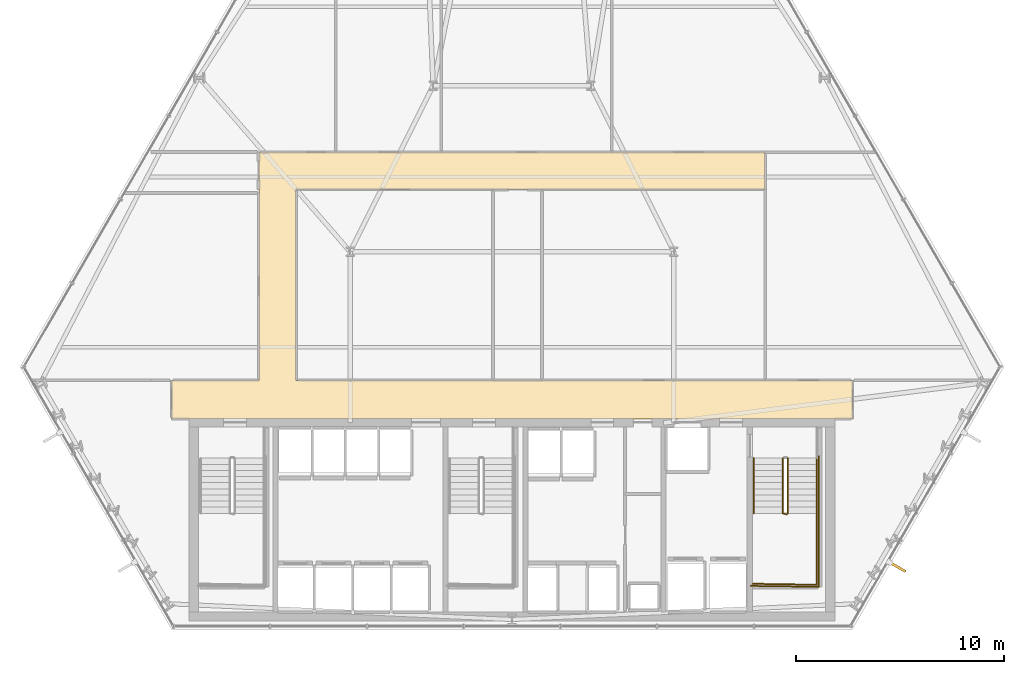
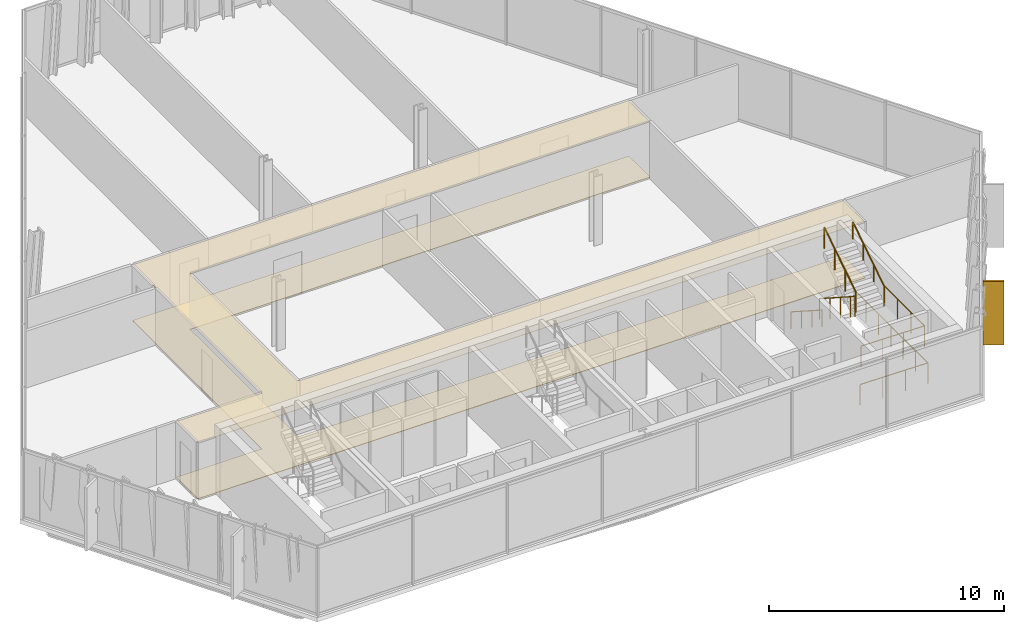
# One storey, part 31 of 33: 6 railings, 2 coverings, 1 shading device.
"""IFC4 building model written with IfcOpenShell, lengths in metres."""

from ifc_helpers import new_model, si_unit, direction, frame, origin, origin_2d, place, context, subcontext, project, spatial, polyline, rectangle, circle, outline, extrude, material, layer, layer_set, type_object, element, save


model = new_model("IFC4")

# Units and contexts
model_context = context("Model", 3, precision=1e-05, world=origin(), true_north=direction((0.0, 1.0)))
body_context = subcontext(model_context, "Body", "Model", "MODEL_VIEW")
ifc_project = project(units=[si_unit("LENGTHUNIT", "METRE"), si_unit("AREAUNIT", "SQUARE_METRE"), si_unit("VOLUMEUNIT", "CUBIC_METRE"), si_unit("PLANEANGLEUNIT", "RADIAN"), si_unit("MASSUNIT", "GRAM", prefix="KILO")], contexts=[model_context])

# Site, building, storey
site_placement = place(None, origin())
site = spatial("IfcSite", under=ifc_project, at=site_placement, CompositionType="ELEMENT")
building_placement = place(site_placement, origin())
building = spatial("IfcBuilding", under=site, at=building_placement, Name="Ndaravel Arena Tower", CompositionType="ELEMENT")
storey_placement = place(building_placement, frame((0.0, 0.0, 89.199951171875)))
storey = spatial("IfcBuildingStorey", under=building, at=storey_placement, Name="L20", CompositionType="ELEMENT", Elevation=89.199951171875)

# Coverings
ifc_material_1 = material(Name="Acoustic Ceiling Tile", Category="finish")
ifc_layer_1 = layer(ifc_material_1, 0.02490234375)
ifc_layer_set_1 = layer_set([ifc_layer_1], Name="Acoustic Ceiling Tile")
covering_type_1 = type_object("IfcCoveringType", Name="COV-CEIL-AC600", PredefinedType="CEILING", material=ifc_layer_set_1)
covering_1_placement = place(storey_placement, frame((0.0, 0.0, 2.920166015625)))
element("IfcCovering", 1, at=covering_1_placement, inside=storey, type_object=covering_type_1, Name="L20 Corridor Acoustic Ceiling", PredefinedType="CEILING", context=body_context, shape_type="SweptSolid", body=[
    extrude(outline(polyline([(58.39990234375, 17.0), (31.60009765625, 17.0), (31.60009765625, 26.199951171875), (54.199951171875, 26.199951171875), (54.199951171875, 28.0), (31.60009765625, 28.0), (29.800048828125, 28.0), (29.800048828125, 26.199951171875), (29.800048828125, 17.0), (25.60009765625, 17.0), (25.60009765625, 15.14990234375), (58.39990234375, 15.14990234375), (58.39990234375, 17.0)])), origin(), (0.0, 0.0, 1.0), 0.02490234375),
])
ifc_material_2 = material(Name="Terrazzo", Category="stone")
ifc_layer_2 = layer(ifc_material_2, 0.030029296875)
ifc_layer_set_2 = layer_set([ifc_layer_2], Name="Terrazzo")
covering_type_2 = type_object("IfcCoveringType", Name="COV-FLOOR-TERRAZZO", PredefinedType="FLOORING", material=ifc_layer_set_2)
covering_2_placement = place(storey_placement, origin())
element("IfcCovering", 2, at=covering_2_placement, inside=storey, type_object=covering_type_2, Name="L20 Corridor Terrazzo Flooring", PredefinedType="FLOORING", context=body_context, shape_type="SweptSolid", body=[
    extrude(outline(polyline([(58.39990234375, 17.0), (31.60009765625, 17.0), (31.60009765625, 26.199951171875), (54.199951171875, 26.199951171875), (54.199951171875, 28.0), (31.60009765625, 28.0), (29.800048828125, 28.0), (29.800048828125, 26.199951171875), (29.800048828125, 17.0), (25.60009765625, 17.0), (25.60009765625, 15.14990234375), (58.39990234375, 15.14990234375), (58.39990234375, 17.0)])), origin(), (0.0, 0.0, 1.0), 0.030029296875),
])

# Railings
ifc_material_3 = material(Name="Steel S355", Category="steel")
ifc_layer_3 = layer(ifc_material_3, 0.06005859375)
ifc_layer_set_3 = layer_set([ifc_layer_3], Name="Steel S355")
railing_type_1 = type_object("IfcRailingType", Name="RAIL-STAIR-GD1100", PredefinedType="GUARDRAIL", material=ifc_layer_set_3)
railing_1_placement = place(storey_placement, frame((55.050048828125, 13.25, 0.18994140625)))
element("IfcRailing", 3, at=railing_1_placement, inside=storey, type_object=railing_type_1, Name="L20 ST-3 stair guard 1", PredefinedType="GUARDRAIL", context=body_context, shape_type="SweptSolid", body=[
    extrude(circle(Radius=0.02392578125, at=origin_2d()), frame((0.0, 0.0, 1.076171875), z_axis=(0.0, -0.840688348013, 0.541519253134), x_axis=(1.0, 0.0, 0.0)), (0.0, 0.0, 1.0), 3.158203125),
    extrude(circle(Radius=0.02392578125, at=origin_2d()), frame((0.0, -2.655029296875, 2.7861328125), z_axis=(0.966993988697, -0.254799187253, 0.0), x_axis=(0.254799187253, 0.966993988697, 0.0)), (0.0, 0.0, 1.0), 0.196533203125),
    extrude(circle(Radius=0.02099609375, at=origin_2d()), origin(), (0.0, 0.0, 1.0), 1.052001953125),
    extrude(circle(Radius=0.02099609375, at=origin_2d()), frame((0.0, -0.885009765625, 0.570068359375)), (0.0, 0.0, 1.0), 1.052001953125),
    extrude(circle(Radius=0.02099609375, at=origin_2d()), frame((0.0, -1.77001953125, 1.14013671875)), (0.0, 0.0, 1.0), 1.052001953125),
    extrude(circle(Radius=0.02099609375, at=origin_2d()), frame((0.0, -2.655029296875, 1.710205078125)), (0.0, 0.0, 1.0), 1.052001953125),
    extrude(circle(Radius=0.02099609375, at=origin_2d()), frame((0.18994140625, -2.705078125, 1.710205078125)), (0.0, 0.0, 1.0), 1.052001953125),
])
railing_2_placement = place(storey_placement, frame((56.68994140625, 10.594970703125, 1.900146484375)))
element("IfcRailing", 4, at=railing_2_placement, inside=storey, type_object=railing_type_1, Name="L20 ST-3 stair guard 2", PredefinedType="GUARDRAIL", context=body_context, shape_type="SweptSolid", body=[
    extrude(circle(Radius=0.02392578125, at=origin_2d()), frame((0.0, 0.0, 1.076171875), z_axis=(0.0, -1.0, 0.0), x_axis=(1.0, 0.0, 0.0)), (0.0, 0.0, 1.0), 3.445068359375),
    extrude(circle(Radius=0.02392578125, at=origin_2d()), frame((0.0, -3.445068359375, 1.076171875), z_axis=(-0.999868840623, 0.016195726322, 0.0), x_axis=(-0.016195726322, -0.999868840623, 0.0)), (0.0, 0.0, 1.0), 3.09033203125),
    extrude(circle(Radius=0.02099609375, at=origin_2d()), origin(), (0.0, 0.0, 1.0), 1.052001953125),
    extrude(circle(Radius=0.02099609375, at=origin_2d()), frame((0.0, -1.1484375, 0.0)), (0.0, 0.0, 1.0), 1.052001953125),
    extrude(circle(Radius=0.02099609375, at=origin_2d()), frame((0.0, -2.296630859375, 0.0)), (0.0, 0.0, 1.0), 1.052001953125),
    extrude(circle(Radius=0.02099609375, at=origin_2d()), frame((0.0, -3.445068359375, 0.0)), (0.0, 0.0, 1.0), 1.052001953125),
    extrude(circle(Radius=0.02099609375, at=origin_2d()), frame((-1.030029296875, -3.428466796875, 0.0)), (0.0, 0.0, 1.0), 1.052001953125),
    extrude(circle(Radius=0.02099609375, at=origin_2d()), frame((-2.059814453125, -3.41162109375, 0.0)), (0.0, 0.0, 1.0), 1.052001953125),
    extrude(circle(Radius=0.02099609375, at=origin_2d()), frame((-3.08984375, -3.39501953125, 0.0)), (0.0, 0.0, 1.0), 1.052001953125),
])
railing_3_placement = place(storey_placement, frame((55.2900390625, 10.594970703125, 2.090087890625)))
element("IfcRailing", 5, at=railing_3_placement, inside=storey, type_object=railing_type_1, Name="L20 ST-3 stair guard 3", PredefinedType="GUARDRAIL", context=body_context, shape_type="SweptSolid", body=[
    extrude(circle(Radius=0.02392578125, at=origin_2d()), frame((0.0, 0.0, 1.076171875), z_axis=(0.0, 0.840723540582, 0.54146461409), x_axis=(-1.0, 0.0, 0.0)), (0.0, 0.0, 1.0), 3.157958984375),
    extrude(circle(Radius=0.02099609375, at=origin_2d()), origin(), (0.0, 0.0, 1.0), 1.052001953125),
    extrude(circle(Radius=0.02099609375, at=origin_2d()), frame((0.0, 0.885009765625, 0.570068359375)), (0.0, 0.0, 1.0), 1.052001953125),
    extrude(circle(Radius=0.02099609375, at=origin_2d()), frame((0.0, 1.77001953125, 1.139892578125)), (0.0, 0.0, 1.0), 1.052001953125),
    extrude(circle(Radius=0.02099609375, at=origin_2d()), frame((0.0, 2.655029296875, 1.7099609375)), (0.0, 0.0, 1.0), 1.052001953125),
])
railing_4_placement = place(storey_placement, frame((56.7900390625, 13.35009765625, 0.0)))
element("IfcRailing", 6, at=railing_4_placement, inside=storey, type_object=railing_type_1, Name="L20 ST-3 stair guard 6", PredefinedType="GUARDRAIL", context=body_context, shape_type="SweptSolid", body=[
    extrude(circle(Radius=0.02392578125, at=origin_2d()), frame((0.0, 0.0, 1.076171875), z_axis=(0.0, -1.0, 0.0), x_axis=(1.0, 0.0, 0.0)), (0.0, 0.0, 1.0), 6.300048828125),
    extrude(circle(Radius=0.02392578125, at=origin_2d()), frame((0.0, -6.300048828125, 1.076171875), z_axis=(-0.99988431412, 0.015210469308, 0.0), x_axis=(-0.015210469308, -0.99988431412, 0.0)), (0.0, 0.0, 1.0), 3.29052734375),
    extrude(circle(Radius=0.02099609375, at=origin_2d()), origin(), (0.0, 0.0, 1.0), 1.052001953125),
    extrude(circle(Radius=0.02099609375, at=origin_2d()), frame((0.0, -1.050048828125, 0.0)), (0.0, 0.0, 1.0), 1.052001953125),
    extrude(circle(Radius=0.02099609375, at=origin_2d()), frame((0.0, -2.10009765625, 0.0)), (0.0, 0.0, 1.0), 1.052001953125),
    extrude(circle(Radius=0.02099609375, at=origin_2d()), frame((0.0, -3.14990234375, 0.0)), (0.0, 0.0, 1.0), 1.052001953125),
    extrude(circle(Radius=0.02099609375, at=origin_2d()), frame((0.0, -4.199951171875, 0.0)), (0.0, 0.0, 1.0), 1.052001953125),
    extrude(circle(Radius=0.02099609375, at=origin_2d()), frame((0.0, -5.25, 0.0)), (0.0, 0.0, 1.0), 1.052001953125),
    extrude(circle(Radius=0.02099609375, at=origin_2d()), frame((0.0, -6.300048828125, 0.0)), (0.0, 0.0, 1.0), 1.052001953125),
    extrude(circle(Radius=0.02099609375, at=origin_2d()), frame((-1.0966796875, -6.283447265625, 0.0)), (0.0, 0.0, 1.0), 1.052001953125),
    extrude(circle(Radius=0.02099609375, at=origin_2d()), frame((-2.193359375, -6.2666015625, 0.0)), (0.0, 0.0, 1.0), 1.052001953125),
    extrude(circle(Radius=0.02099609375, at=origin_2d()), frame((-3.2900390625, -6.25, 0.0)), (0.0, 0.0, 1.0), 1.052001953125),
])
ifc_material_4 = material(Name="Steel S355", Category="steel")
ifc_layer_4 = layer(ifc_material_4, 0.050048828125)
ifc_layer_set_4 = layer_set([ifc_layer_4], Name="Steel S355")
railing_type_2 = type_object("IfcRailingType", Name="RAIL-STAIR-HR920", PredefinedType="HANDRAIL", material=ifc_layer_set_4)
railing_5_placement = place(storey_placement, frame((53.64990234375, 13.25, 0.18994140625)))
element("IfcRailing", 7, at=railing_5_placement, inside=storey, type_object=railing_type_2, Name="L20 ST-3 stair handrail 1", PredefinedType="HANDRAIL", context=body_context, shape_type="SweptSolid", body=[
    extrude(circle(Radius=0.02392578125, at=origin_2d()), frame((0.0, 0.0, 0.8759765625), z_axis=(0.0, -0.840688348013, 0.541519253134), x_axis=(1.0, 0.0, 0.0)), (0.0, 0.0, 1.0), 3.158203125),
    extrude(circle(Radius=0.02099609375, at=origin_2d()), origin(), (0.0, 0.0, 1.0), 0.851806640625),
    extrude(circle(Radius=0.02099609375, at=origin_2d()), frame((0.0, -0.885009765625, 0.570068359375)), (0.0, 0.0, 1.0), 0.851806640625),
    extrude(circle(Radius=0.02099609375, at=origin_2d()), frame((0.0, -1.77001953125, 1.14013671875)), (0.0, 0.0, 1.0), 0.851806640625),
    extrude(circle(Radius=0.02099609375, at=origin_2d()), frame((0.0, -2.655029296875, 1.710205078125)), (0.0, 0.0, 1.0), 0.851806640625),
])
railing_6_placement = place(storey_placement, frame((56.68994140625, 10.594970703125, 2.090087890625)))
element("IfcRailing", 8, at=railing_6_placement, inside=storey, type_object=railing_type_2, Name="L20 ST-3 stair handrail 2", PredefinedType="HANDRAIL", context=body_context, shape_type="SweptSolid", body=[
    extrude(circle(Radius=0.02392578125, at=origin_2d()), frame((0.0, 0.0, 0.8759765625), z_axis=(0.0, 0.840723540582, 0.54146461409), x_axis=(-1.0, 0.0, 0.0)), (0.0, 0.0, 1.0), 3.157958984375),
    extrude(circle(Radius=0.02099609375, at=origin_2d()), origin(), (0.0, 0.0, 1.0), 0.851806640625),
    extrude(circle(Radius=0.02099609375, at=origin_2d()), frame((0.0, 0.885009765625, 0.570068359375)), (0.0, 0.0, 1.0), 0.851806640625),
    extrude(circle(Radius=0.02099609375, at=origin_2d()), frame((0.0, 1.77001953125, 1.139892578125)), (0.0, 0.0, 1.0), 0.851806640625),
    extrude(circle(Radius=0.02099609375, at=origin_2d()), frame((0.0, 2.655029296875, 1.7099609375)), (0.0, 0.0, 1.0), 0.851806640625),
])

# Shading device
ifc_material_5 = material(Name="Masonry", Category="masonry")
shading_device_type = type_object("IfcShadingDeviceType", Name="SHD-MAZERAS-FIN", PredefinedType="SHUTTER", material=ifc_material_5)
shading_device_placement = place(storey_placement, frame((60.57373046875, 8.014892578125, 0.14990234375), z_axis=(0.0, 0.0, 1.0), x_axis=(0.866025403784, -0.5, 0.0)))
element("IfcShadingDevice", 9, at=shading_device_placement, inside=storey, type_object=shading_device_type, Name="L20 Mazeras Stone Solar Fin E2.1", PredefinedType="SHUTTER", context=body_context, shape_type="SweptSolid", body=[
    extrude(rectangle(XDim=0.89990234375, YDim=0.1201171875, at=origin_2d()), origin(), (0.0, 0.0, 1.0), 3.280029296875),
])

save(model, "model.ifc")
